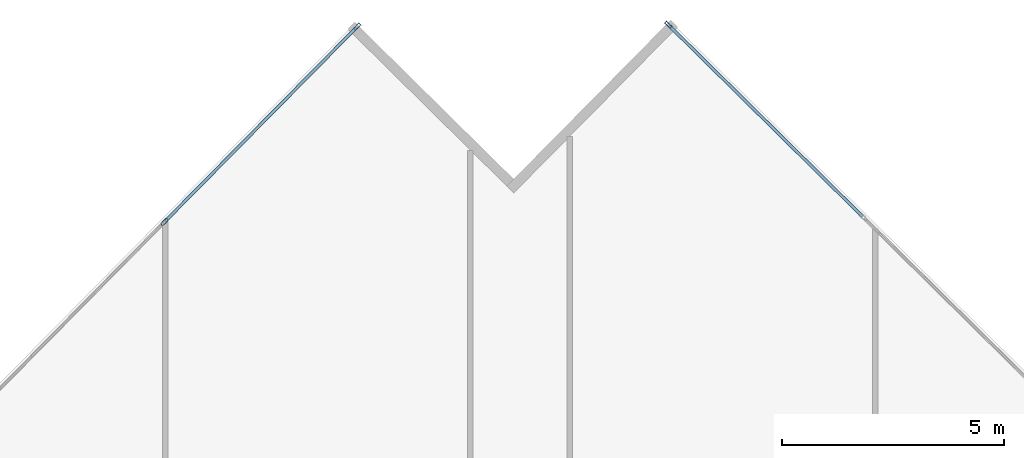
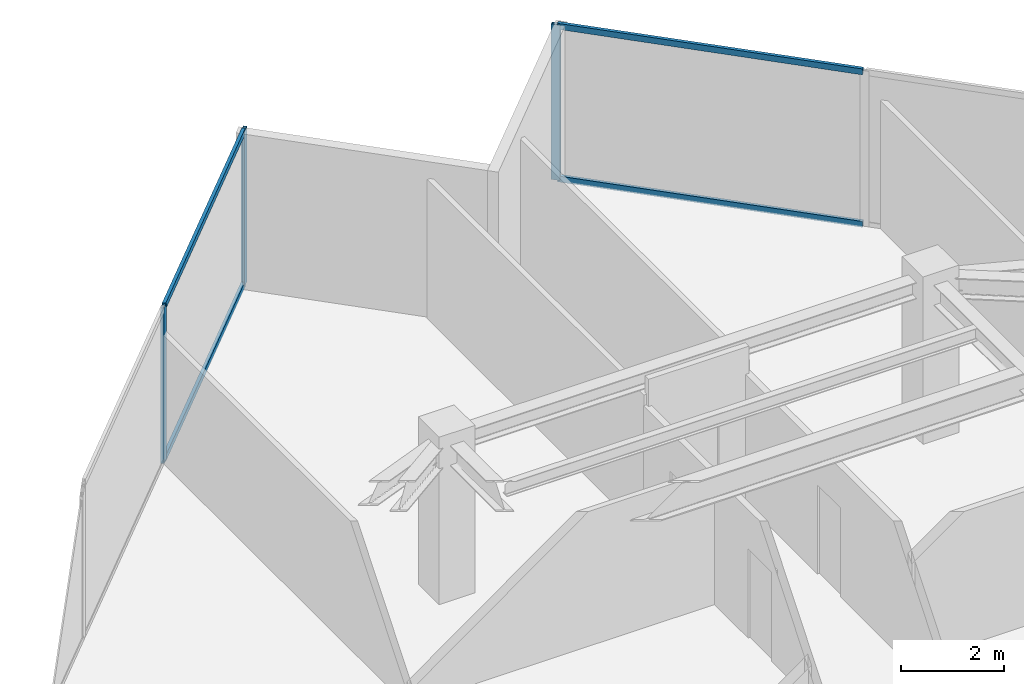
# One storey, part 16 of 24: 7 members, 2 elements without a shape of their own.
"""IFC4 building model written with IfcOpenShell, lengths in metres."""

from ifc_helpers import new_model, si_unit, direction, frame, origin, origin_2d, place, context, subcontext, project, spatial, hollow_rectangle, extrude, source, transform, mapped, material, material_profile, profile_set, type_object, type_shapes, element, aggregate, save


model = new_model("IFC4")

# Units and contexts
model_context = context("Model", 3, precision=1e-05, world=origin(), true_north=direction((0.0, 1.0)))
body_context = subcontext(model_context, "Body", "Model", "MODEL_VIEW")
ifc_project = project(units=[si_unit("LENGTHUNIT", "METRE"), si_unit("AREAUNIT", "SQUARE_METRE"), si_unit("VOLUMEUNIT", "CUBIC_METRE"), si_unit("PLANEANGLEUNIT", "RADIAN"), si_unit("MASSUNIT", "GRAM", prefix="KILO")], contexts=[model_context])

# Site, building, storey
site_placement = place(None, origin())
site = spatial("IfcSite", under=ifc_project, at=site_placement, CompositionType="ELEMENT")
building_placement = place(site_placement, origin())
building = spatial("IfcBuilding", under=site, at=building_placement, Name="Krantzveldt Concourse Tower", CompositionType="ELEMENT")
storey_placement = place(building_placement, frame((0.0, 0.0, 234.949951171875)))
storey = spatial("IfcBuildingStorey", under=building, at=storey_placement, Name="L57", CompositionType="ELEMENT", Elevation=234.949951171875)

# Curtain wall, members
ifc_material = material(Name="Anodised aluminium 6063-T6", Category="aluminium")
curtain_wall_type = type_object("IfcCurtainWallType", Name="CW3", PredefinedType="USERDEFINED", material=ifc_material)
curtain_wall_1_placement = place(storey_placement, origin())
curtain_wall_1 = element("IfcCurtainWall", 1, at=curtain_wall_1_placement, inside=storey, type_object=curtain_wall_type, Name="CW-L57-F01", ObjectType="UNITISED CURTAIN WALL", PredefinedType="USERDEFINED")
ifc_material_profile_1 = material_profile(ifc_material, hollow_rectangle(XDim=0.070068359375, YDim=0.179931640625, WallThickness=0.0048828125, at=origin_2d()), Name="Anodised aluminium 6063-T6", Category="aluminium")
ifc_profile_set_1 = profile_set([ifc_material_profile_1], Name="Anodised aluminium 6063-T6 - ALU-MULL 180x70x5")
member_type_1 = type_object("IfcMemberType", Name="CW-MUL-180", PredefinedType="MULLION", material=ifc_profile_set_1)
shared_shape_1 = source(origin(), body_context, "Body", "SweptSolid", [
    extrude(hollow_rectangle(XDim=0.070068359375, YDim=0.179931640625, WallThickness=0.0048828125, at=origin_2d()), origin(), (0.0, 0.0, 1.0), 3.670166015625),
])
type_shapes(member_type_1, [shared_shape_1])
member_1_placement = place(storey_placement, frame((32.33740234375, 52.0439453125, 0.0), z_axis=(0.0, 0.0, 1.0), x_axis=(0.711719700179, -0.702463570854, 0.0)))
member_1 = element("IfcMember", 2, at=member_1_placement, type_object=member_type_1, Name="CW-Z34 mullion 1", PredefinedType="MULLION", context=body_context, shape_type="MappedRepresentation", body=[
    mapped(shared_shape_1, transform((0.0, 0.0, 0.0), x_axis=(1.0, 0.0, 0.0), y_axis=(0.0, 1.0, 0.0), z_axis=(0.0, 0.0, 1.0), scale=1.0)),
])
member_2_placement = place(storey_placement, frame((28.006591796875, 47.65625, 0.0), z_axis=(0.0, 0.0, 1.0), x_axis=(0.711719700179, -0.702463570854, 0.0)))
member_2 = element("IfcMember", 3, at=member_2_placement, type_object=member_type_1, Name="CW-Z34 mullion 2", PredefinedType="MULLION", context=body_context, shape_type="MappedRepresentation", body=[
    mapped(shared_shape_1, transform((0.0, 0.0, 0.0), x_axis=(1.0, 0.0, 0.0), y_axis=(0.0, 1.0, 0.0), z_axis=(0.0, 0.0, 1.0), scale=1.0)),
])

# Curtain wall, member
curtain_wall_2_placement = place(storey_placement, origin())
curtain_wall_2 = element("IfcCurtainWall", 4, at=curtain_wall_2_placement, inside=storey, type_object=curtain_wall_type, Name="CW-L57-F10", ObjectType="UNITISED CURTAIN WALL", PredefinedType="USERDEFINED")
member_3_placement = place(storey_placement, frame((39.33056640625, 52.08984375, 0.0), z_axis=(0.0, 0.0, 1.0), x_axis=(-0.702463570854, -0.711719700179, 0.0)))
member_3 = element("IfcMember", 5, at=member_3_placement, type_object=member_type_1, Name="CW-Z34 mullion 6", PredefinedType="MULLION", context=body_context, shape_type="MappedRepresentation", body=[
    mapped(shared_shape_1, transform((0.0, 0.0, 0.0), x_axis=(1.0, 0.0, 0.0), y_axis=(0.0, 1.0, 0.0), z_axis=(0.0, 0.0, 1.0), scale=1.0)),
])

# Member
ifc_material_profile_2 = material_profile(ifc_material, hollow_rectangle(XDim=0.070068359375, YDim=0.139892578125, WallThickness=0.0048828125, at=origin_2d()), Name="Anodised aluminium 6063-T6", Category="aluminium")
ifc_profile_set_2 = profile_set([ifc_material_profile_2], Name="Anodised aluminium 6063-T6 - ALU-TRAN 140x70x5")
member_type_2 = type_object("IfcMemberType", Name="CW-TRN-150", PredefinedType="USERDEFINED", material=ifc_profile_set_2)
shared_shape_2 = source(origin(), body_context, "Body", "SweptSolid", [
    extrude(hollow_rectangle(XDim=0.070068359375, YDim=0.139892578125, WallThickness=0.0048828125, at=origin_2d()), origin(), (0.0, 0.0, 1.0), 6.094970703125),
])
type_shapes(member_type_2, [shared_shape_2])
member_4_placement = place(storey_placement, frame((32.312744140625, 52.01904296875, 0.03515625), z_axis=(-0.702465157511, -0.711718134154, 0.0), x_axis=(0.711718134154, -0.702465157511, 0.0)))
member_4 = element("IfcMember", 6, at=member_4_placement, type_object=member_type_2, Name="CW-Z34 transom 1.1", ObjectType="TRANSOM", PredefinedType="USERDEFINED", context=body_context, shape_type="MappedRepresentation", body=[
    mapped(shared_shape_2, transform((0.0, 0.0, 0.0), x_axis=(1.0, 0.0, 0.0), y_axis=(0.0, 1.0, 0.0), z_axis=(0.0, 0.0, 1.0), scale=1.0)),
])

member_5_placement = place(storey_placement, frame((32.312744140625, 52.01904296875, 3.635009765625), z_axis=(-0.702465157511, -0.711718134154, 0.0), x_axis=(0.711718134154, -0.702465157511, 0.0)))
member_5 = element("IfcMember", 7, at=member_5_placement, type_object=member_type_2, Name="CW-Z34 transom 1.2", ObjectType="TRANSOM", PredefinedType="USERDEFINED", context=body_context, shape_type="MappedRepresentation", body=[
    mapped(shared_shape_2, transform((0.0, 0.0, 0.0), x_axis=(1.0, 0.0, 0.0), y_axis=(0.0, 1.0, 0.0), z_axis=(0.0, 0.0, 1.0), scale=1.0)),
])

aggregate(curtain_wall_1, [member_1, member_2, member_4, member_5])

member_6_placement = place(storey_placement, frame((43.693359375, 47.78369140625, 0.03515625), z_axis=(-0.711718134154, 0.702465157511, 0.0), x_axis=(-0.702465157511, -0.711718134154, 0.0)))
member_6 = element("IfcMember", 8, at=member_6_placement, type_object=member_type_2, Name="CW-Z34 transom 5.1", ObjectType="TRANSOM", PredefinedType="USERDEFINED", context=body_context, shape_type="MappedRepresentation", body=[
    mapped(shared_shape_2, transform((0.0, 0.0, 0.0), x_axis=(1.0, 0.0, 0.0), y_axis=(0.0, 1.0, 0.0), z_axis=(0.0, 0.0, 1.0), scale=1.0)),
])

member_7_placement = place(storey_placement, frame((43.693359375, 47.78369140625, 3.635009765625), z_axis=(-0.711718134154, 0.702465157511, 0.0), x_axis=(-0.702465157511, -0.711718134154, 0.0)))
member_7 = element("IfcMember", 9, at=member_7_placement, type_object=member_type_2, Name="CW-Z34 transom 5.2", ObjectType="TRANSOM", PredefinedType="USERDEFINED", context=body_context, shape_type="MappedRepresentation", body=[
    mapped(shared_shape_2, transform((0.0, 0.0, 0.0), x_axis=(1.0, 0.0, 0.0), y_axis=(0.0, 1.0, 0.0), z_axis=(0.0, 0.0, 1.0), scale=1.0)),
])

aggregate(curtain_wall_2, [member_3, member_6, member_7])

save(model, "model.ifc")
